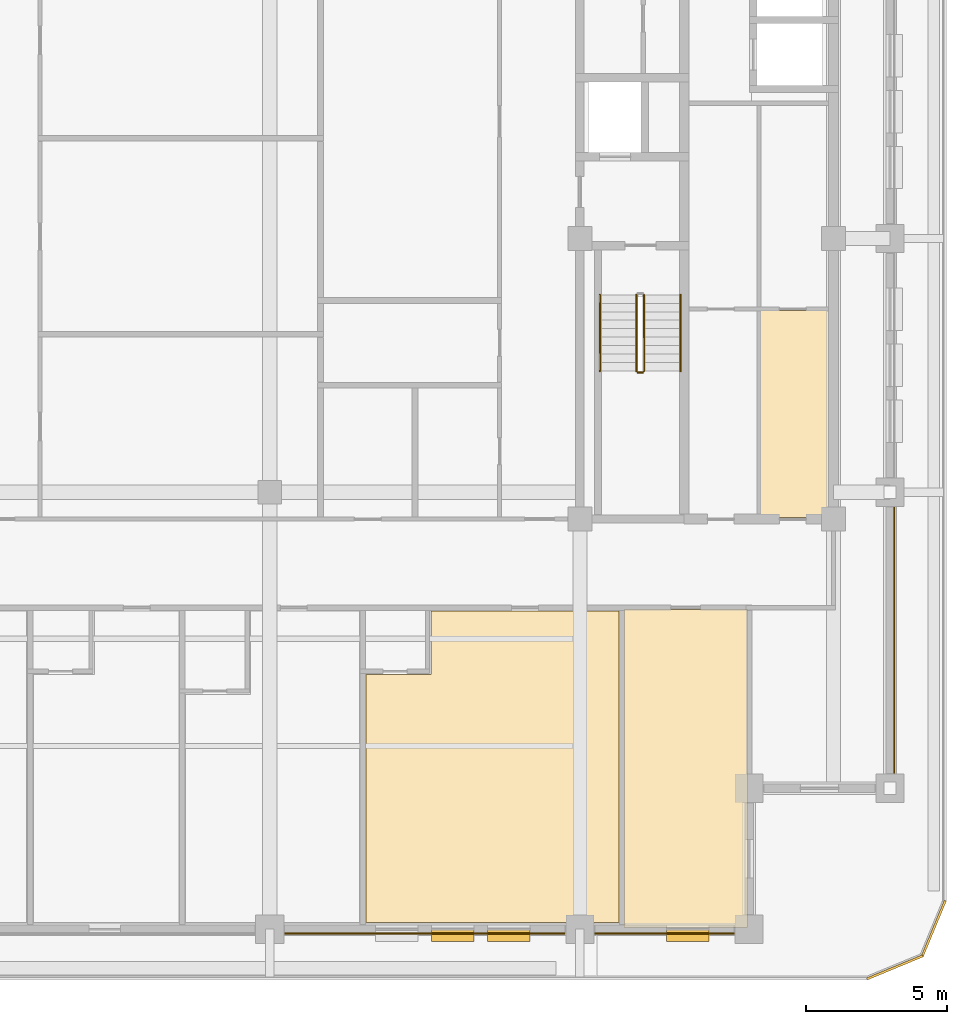
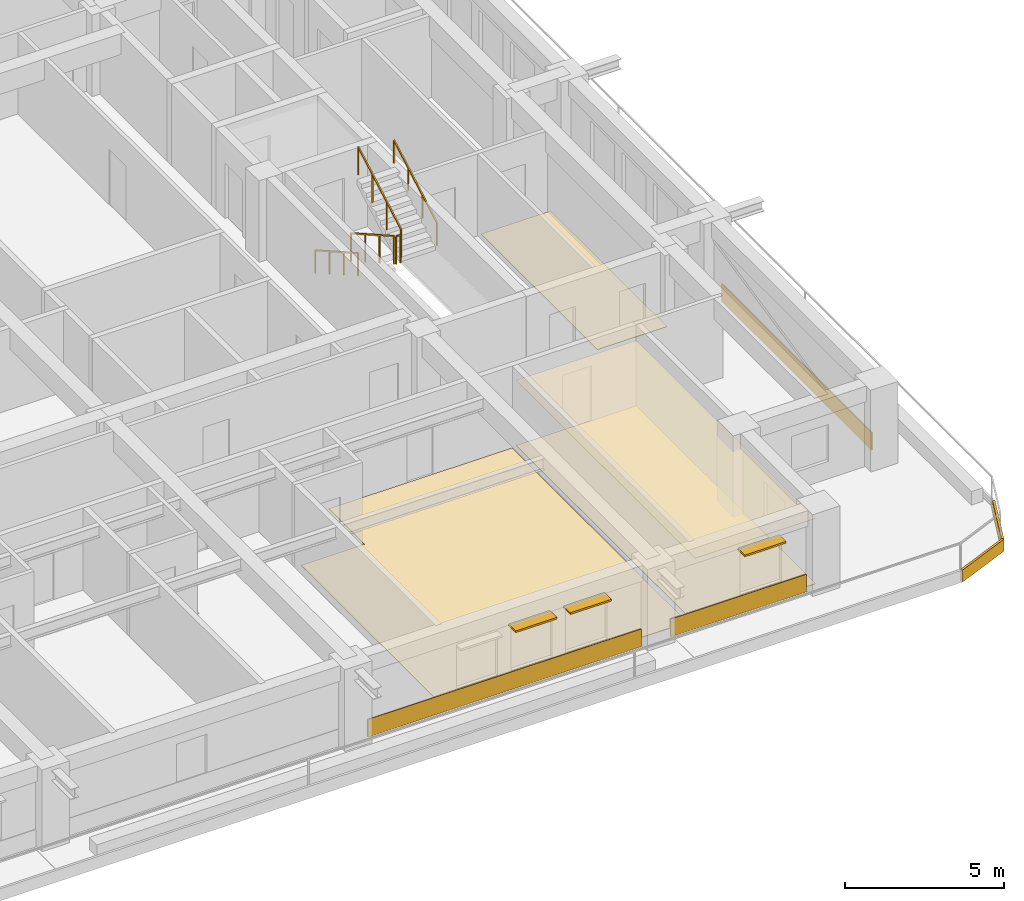
# One storey, part 13 of 15: 9 coverings, 5 railings, 3 shading devices.
"""IFC4 building model written with IfcOpenShell, lengths in metres."""

from ifc_helpers import new_model, si_unit, direction, frame, frame_2d, origin, origin_2d, place, context, subcontext, project, spatial, polyline, rectangle, outline, extrude, material, layer, layer_set, type_object, element, save


model = new_model("IFC4")

# Units and contexts
model_context = context("Model", 3, precision=1e-05, world=origin(), true_north=direction((0.0, 1.0)))
body_context = subcontext(model_context, "Body", "Model", "MODEL_VIEW")
ifc_project = project(units=[si_unit("LENGTHUNIT", "METRE"), si_unit("AREAUNIT", "SQUARE_METRE"), si_unit("VOLUMEUNIT", "CUBIC_METRE"), si_unit("PLANEANGLEUNIT", "RADIAN"), si_unit("MASSUNIT", "GRAM", prefix="KILO")], contexts=[model_context])

# Site, building, storey
site_placement = place(None, origin())
site = spatial("IfcSite", under=ifc_project, at=site_placement, CompositionType="ELEMENT")
building_placement = place(site_placement, origin())
building = spatial("IfcBuilding", under=site, at=building_placement, Name="Zulmaris Gate Convention Tower", CompositionType="ELEMENT")
storey_placement = place(building_placement, frame((0.0, 0.0, 201.659912109375)))
storey = spatial("IfcBuildingStorey", under=building, at=storey_placement, Name="L52", CompositionType="ELEMENT", Elevation=201.659912109375)

# Coverings
ifc_material_1 = material(Name="Precast concrete C40/50", Category="concrete")
ifc_layer_1 = layer(ifc_material_1, 0.0400390625, Name="Precast concrete C40/50")
ifc_layer_set_1 = layer_set([ifc_layer_1], Name="Precast concrete C40/50")
covering_type_1 = type_object("IfcCoveringType", Name="CLAD-SPANDREL-PRECAST", PredefinedType="CLADDING", material=ifc_layer_set_1)
covering_1_placement = place(storey_placement, frame((0.530029296875, -24.64990234375, 0.0), z_axis=(0.0, 0.0, 1.0), x_axis=(1.0, 0.0, 0.0)))
element("IfcCovering", 1, at=covering_1_placement, inside=storey, type_object=covering_type_1, Name="CLD-L52-S-2_0", PredefinedType="CLADDING", context=body_context, shape_type="SweptSolid", body=[
    extrude(rectangle(XDim=9.93994140625, YDim=0.0400390625, at=frame_2d((4.969970703125, 0.0))), origin(), (0.0, 0.0, 1.0), 0.679931640625),
])
covering_2_placement = place(storey_placement, frame((11.530029296875, -24.64990234375, 0.0), z_axis=(0.0, 0.0, 1.0), x_axis=(1.0, 0.0, 0.0)))
element("IfcCovering", 2, at=covering_2_placement, inside=storey, type_object=covering_type_1, Name="CLD-L52-S-3_0", PredefinedType="CLADDING", context=body_context, shape_type="SweptSolid", body=[
    extrude(rectangle(XDim=4.93994140625, YDim=0.0400390625, at=frame_2d((2.469970703125, 0.0))), origin(), (0.0, 0.0, 1.0), 0.679931640625),
])
covering_3_placement = place(storey_placement, frame((22.14990234375, -18.969970703125, 0.0), z_axis=(0.0, 0.0, 1.0), x_axis=(0.0, 1.0, 0.0)))
element("IfcCovering", 3, at=covering_3_placement, inside=storey, type_object=covering_type_1, Name="CLD-L52-E-0_0", PredefinedType="CLADDING", context=body_context, shape_type="SweptSolid", body=[
    extrude(rectangle(XDim=9.43994140625, YDim=0.0400390625, at=frame_2d((4.719970703125, 0.0))), origin(), (0.0, 0.0, 1.0), 0.679931640625),
])
ifc_material_2 = material(Name="White Glazed Architectural Precast Concrete C40/50", Category="concrete")
ifc_layer_2 = layer(ifc_material_2, 0.080078125, Name="White Glazed Architectural Precast Concrete C40/50")
ifc_layer_set_2 = layer_set([ifc_layer_2], Name="White Glazed Architectural Precast Concrete C40/50")
covering_type_2 = type_object("IfcCoveringType", Name="CLAD-TRAY-FASCIA", PredefinedType="CLADDING", material=ifc_layer_set_2)
covering_4_placement = place(storey_placement, frame((21.184814453125, -26.262939453125, -0.2900390625), z_axis=(0.0, 0.0, 1.0), x_axis=(0.923873803533, 0.382697263049, 0.0)))
element("IfcCovering", 4, at=covering_4_placement, inside=storey, type_object=covering_type_2, Name="FSC-L52-TR-03", PredefinedType="CLADDING", context=body_context, shape_type="SweptSolid", body=[
    extrude(rectangle(XDim=2.142822265625, YDim=0.080078125, at=frame_2d((1.0712890625, 0.0))), origin(), (0.0, 0.0, 1.0), 0.4599609375),
])
covering_5_placement = place(storey_placement, frame((23.142822265625, -25.464599609375, -0.2900390625), z_axis=(0.0, 0.0, 1.0), x_axis=(0.382656984709, 0.923890487046, 0.0)))
element("IfcCovering", 5, at=covering_5_placement, inside=storey, type_object=covering_type_2, Name="FSC-L52-TR-04", PredefinedType="CLADDING", context=body_context, shape_type="SweptSolid", body=[
    extrude(rectangle(XDim=2.14306640625, YDim=0.080078125, at=frame_2d((1.071533203125, 0.0))), origin(), (0.0, 0.0, 1.0), 0.4599609375),
])
ifc_material_3 = material(Name="Mineral Fibre Acoustic Ceiling Tile")
ifc_layer_3 = layer(ifc_material_3, 0.02001953125, Name="Mineral Fibre Acoustic Ceiling Tile")
ifc_layer_set_3 = layer_set([ifc_layer_3], Name="Mineral Fibre Acoustic Ceiling Tile")
covering_type_3 = type_object("IfcCoveringType", Name="CLG-ACOUSTIC-600", PredefinedType="CEILING", material=ifc_layer_set_3)
covering_6_placement = place(storey_placement, frame((0.0, 0.0, 2.51025390625)))
element("IfcCovering", 6, at=covering_6_placement, inside=storey, type_object=covering_type_3, Name="CLG-L52-R53", PredefinedType="CEILING", context=body_context, shape_type="SweptSolid", body=[
    extrude(outline(polyline([(12.56005859375, -24.43994140625), (16.93994140625, -24.43994140625), (16.93994140625, -13.159912109375), (12.56005859375, -13.159912109375), (12.56005859375, -24.43994140625)])), origin(), (0.0, 0.0, 1.0), 0.02001953125),
])
ifc_material_4 = material(Name="Woven Acoustic Wool Carpet Tile")
ifc_layer_4 = layer(ifc_material_4, 0.02001953125, Name="Woven Acoustic Wool Carpet Tile")
ifc_layer_set_4 = layer_set([ifc_layer_4], Name="Woven Acoustic Wool Carpet Tile")
covering_type_4 = type_object("IfcCoveringType", Name="FLR-CARPET-12", PredefinedType="FLOORING", material=ifc_layer_set_4)
covering_7_placement = place(storey_placement, origin())
element("IfcCovering", 7, at=covering_7_placement, inside=storey, type_object=covering_type_4, Name="FLR-L52-R27", PredefinedType="FLOORING", context=body_context, shape_type="SweptSolid", body=[
    extrude(outline(polyline([(17.409912109375, -9.889892578125), (19.93994140625, -9.889892578125), (19.93994140625, -2.56005859375), (17.409912109375, -2.56005859375), (17.409912109375, -9.889892578125)])), origin(), (0.0, 0.0, 1.0), 0.02001953125),
])
ifc_material_5 = material(Name="Engineered Teak Parquet Flooring")
ifc_layer_5 = layer(ifc_material_5, 0.02001953125, Name="Engineered Teak Parquet Flooring")
ifc_layer_set_5 = layer_set([ifc_layer_5], Name="Engineered Teak Parquet Flooring")
covering_type_5 = type_object("IfcCoveringType", Name="FLR-TIMBER-18", PredefinedType="FLOORING", material=ifc_layer_set_5)
covering_8_placement = place(storey_placement, origin())
element("IfcCovering", 8, at=covering_8_placement, inside=storey, type_object=covering_type_5, Name="FLR-L52-R52", PredefinedType="FLOORING", context=body_context, shape_type="SweptSolid", body=[
    extrude(outline(polyline([(3.419921875, -24.260009765625), (12.3798828125, -24.260009765625), (12.3798828125, -13.219970703125), (5.719970703125, -13.219970703125), (5.719970703125, -15.469970703125), (3.419921875, -15.469970703125), (3.419921875, -24.260009765625)])), origin(), (0.0, 0.0, 1.0), 0.02001953125),
])
covering_9_placement = place(storey_placement, origin())
element("IfcCovering", 9, at=covering_9_placement, inside=storey, type_object=covering_type_5, Name="FLR-L52-R53", PredefinedType="FLOORING", context=body_context, shape_type="SweptSolid", body=[
    extrude(outline(polyline([(12.56005859375, -24.43994140625), (16.93994140625, -24.43994140625), (16.93994140625, -13.159912109375), (12.56005859375, -13.159912109375), (12.56005859375, -24.43994140625)])), origin(), (0.0, 0.0, 1.0), 0.02001953125),
])

# Railings
ifc_material_6 = material(Name="Painted Galvanised Steel", Category="steel")
railing_type_1 = type_object("IfcRailingType", Name="RL-STG-1150", PredefinedType="GUARDRAIL", material=ifc_material_6)
railing_1_placement = place(storey_placement, frame((13.010009765625, -2.0, 0.169921875)))
element("IfcRailing", 10, at=railing_1_placement, inside=storey, type_object=railing_type_1, Name="L52 ST-2 stair guard 1", PredefinedType="GUARDRAIL", context=body_context, shape_type="SweptSolid", body=[
    extrude(rectangle(XDim=0.048095703125, YDim=0.048095703125, at=origin_2d()), frame((0.0, 0.0, 1.076171875), z_axis=(0.0, -0.869980566543, 0.493086010588), x_axis=(1.0, 0.0, 0.0)), (0.0, 0.0, 1.0), 3.103515625),
    extrude(rectangle(XDim=0.0419921875, YDim=0.0419921875, at=origin_2d()), origin(), (0.0, 0.0, 1.0), 1.052001953125),
    extrude(rectangle(XDim=0.0419921875, YDim=0.0419921875, at=origin_2d()), frame((0.0, -0.89990234375, 0.510009765625)), (0.0, 0.0, 1.0), 1.052001953125),
    extrude(rectangle(XDim=0.0419921875, YDim=0.0419921875, at=origin_2d()), frame((0.0, -1.800048828125, 1.020263671875)), (0.0, 0.0, 1.0), 1.052001953125),
    extrude(rectangle(XDim=0.0419921875, YDim=0.0419921875, at=origin_2d()), frame((0.0, -2.699951171875, 1.5302734375)), (0.0, 0.0, 1.0), 1.052001953125),
])
railing_2_placement = place(storey_placement, frame((13.06005859375, -4.75, 1.7001953125)))
element("IfcRailing", 11, at=railing_2_placement, inside=storey, type_object=railing_type_1, Name="L52 ST-2 stair guard 2", PredefinedType="GUARDRAIL", context=body_context, shape_type="SweptSolid", body=[
    extrude(rectangle(XDim=0.048095703125, YDim=0.048095703125, at=origin_2d()), frame((0.0, 0.0, 1.076171875), z_axis=(1.0, 0.0, 0.0), x_axis=(0.0, 1.0, 0.0)), (0.0, 0.0, 1.0), 0.159912109375),
    extrude(rectangle(XDim=0.0419921875, YDim=0.0419921875, at=origin_2d()), origin(), (0.0, 0.0, 1.0), 1.052001953125),
    extrude(rectangle(XDim=0.0419921875, YDim=0.0419921875, at=origin_2d()), frame((0.159912109375, 0.0, 0.0)), (0.0, 0.0, 1.0), 1.052001953125),
])
railing_3_placement = place(storey_placement, frame((13.27001953125, -4.699951171875, 1.8701171875)))
element("IfcRailing", 12, at=railing_3_placement, inside=storey, type_object=railing_type_1, Name="L52 ST-2 stair guard 3", PredefinedType="GUARDRAIL", context=body_context, shape_type="SweptSolid", body=[
    extrude(rectangle(XDim=0.048095703125, YDim=0.048095703125, at=origin_2d()), frame((0.0, 0.0, 1.076171875), z_axis=(0.0, 0.870014312096, 0.49302646658), x_axis=(-1.0, 0.0, 0.0)), (0.0, 0.0, 1.0), 3.103271484375),
    extrude(rectangle(XDim=0.0419921875, YDim=0.0419921875, at=origin_2d()), origin(), (0.0, 0.0, 1.0), 1.052001953125),
    extrude(rectangle(XDim=0.0419921875, YDim=0.0419921875, at=origin_2d()), frame((0.0, 0.89990234375, 0.510009765625)), (0.0, 0.0, 1.0), 1.052001953125),
    extrude(rectangle(XDim=0.0419921875, YDim=0.0419921875, at=origin_2d()), frame((0.0, 1.800048828125, 1.02001953125)), (0.0, 0.0, 1.0), 1.052001953125),
    extrude(rectangle(XDim=0.0419921875, YDim=0.0419921875, at=origin_2d()), frame((0.0, 2.699951171875, 1.530029296875)), (0.0, 0.0, 1.0), 1.052001953125),
])
ifc_material_7 = material(Name="Brushed Stainless Steel", Category="steel")
railing_type_2 = type_object("IfcRailingType", Name="RL-STH-900", PredefinedType="HANDRAIL", material=ifc_material_7)
railing_4_placement = place(storey_placement, frame((11.7099609375, -2.0, 0.169921875)))
element("IfcRailing", 13, at=railing_4_placement, inside=storey, type_object=railing_type_2, Name="L52 ST-2 stair handrail 1", PredefinedType="HANDRAIL", context=body_context, shape_type="SweptSolid", body=[
    extrude(rectangle(XDim=0.048095703125, YDim=0.048095703125, at=origin_2d()), frame((0.0, 0.0, 0.8759765625), z_axis=(0.0, -0.869980566543, 0.493086010588), x_axis=(1.0, 0.0, 0.0)), (0.0, 0.0, 1.0), 3.103515625),
    extrude(rectangle(XDim=0.0419921875, YDim=0.0419921875, at=origin_2d()), origin(), (0.0, 0.0, 1.0), 0.851806640625),
    extrude(rectangle(XDim=0.0419921875, YDim=0.0419921875, at=origin_2d()), frame((0.0, -0.89990234375, 0.510009765625)), (0.0, 0.0, 1.0), 0.851806640625),
    extrude(rectangle(XDim=0.0419921875, YDim=0.0419921875, at=origin_2d()), frame((0.0, -1.800048828125, 1.020263671875)), (0.0, 0.0, 1.0), 0.851806640625),
    extrude(rectangle(XDim=0.0419921875, YDim=0.0419921875, at=origin_2d()), frame((0.0, -2.699951171875, 1.5302734375)), (0.0, 0.0, 1.0), 0.851806640625),
])
railing_5_placement = place(storey_placement, frame((14.570068359375, -4.699951171875, 1.8701171875)))
element("IfcRailing", 14, at=railing_5_placement, inside=storey, type_object=railing_type_2, Name="L52 ST-2 stair handrail 2", PredefinedType="HANDRAIL", context=body_context, shape_type="SweptSolid", body=[
    extrude(rectangle(XDim=0.048095703125, YDim=0.048095703125, at=origin_2d()), frame((0.0, 0.0, 0.8759765625), z_axis=(0.0, 0.870014312096, 0.49302646658), x_axis=(-1.0, 0.0, 0.0)), (0.0, 0.0, 1.0), 3.103271484375),
    extrude(rectangle(XDim=0.0419921875, YDim=0.0419921875, at=origin_2d()), origin(), (0.0, 0.0, 1.0), 0.851806640625),
    extrude(rectangle(XDim=0.0419921875, YDim=0.0419921875, at=origin_2d()), frame((0.0, 0.89990234375, 0.510009765625)), (0.0, 0.0, 1.0), 0.851806640625),
    extrude(rectangle(XDim=0.0419921875, YDim=0.0419921875, at=origin_2d()), frame((0.0, 1.800048828125, 1.02001953125)), (0.0, 0.0, 1.0), 0.851806640625),
    extrude(rectangle(XDim=0.0419921875, YDim=0.0419921875, at=origin_2d()), frame((0.0, 2.699951171875, 1.530029296875)), (0.0, 0.0, 1.0), 0.851806640625),
])

# Shading devices
ifc_material_8 = material(Name="Glazed Ceramic Terracotta", Category="masonry")
ifc_layer_6 = layer(ifc_material_8, 0.070068359375, Name="Glazed Ceramic Terracotta")
ifc_layer_set_6 = layer_set([ifc_layer_6], Name="Glazed Ceramic Terracotta")
shading_device_type = type_object("IfcShadingDeviceType", Name="SHD-SUNSHADE-TC", PredefinedType="AWNING", material=ifc_layer_set_6)
for number, where, z_axis, x_axis, name in (
    (15, (5.743896484375, -24.719970703125, 2.35009765625), (0.0, 0.0, 1.0), (1.0, 0.0, 0.0), "SHD-EW-L52-S-2_0-3"),
    (16, (7.73193359375, -24.719970703125, 2.35009765625), (0.0, 0.0, 1.0), (1.0, 0.0, 0.0), "SHD-EW-L52-S-2_0-4"),
    (17, (14.072998046875, -24.719970703125, 2.35009765625), (0.0, 0.0, 1.0), (1.0, 0.0, 0.0), "SHD-EW-L52-S-3_0-2"),
):
    element("IfcShadingDevice", number, at=place(storey_placement, frame(where, z_axis=z_axis, x_axis=x_axis)), inside=storey, type_object=shading_device_type, Name=name, PredefinedType="AWNING", context=body_context, shape_type="SweptSolid", body=[
        extrude(rectangle(XDim=1.5, YDim=0.43994140625, at=frame_2d((0.75, 0.0))), origin(), (0.0, 0.0, 1.0), 0.06982421875),
    ])

save(model, "model.ifc")
